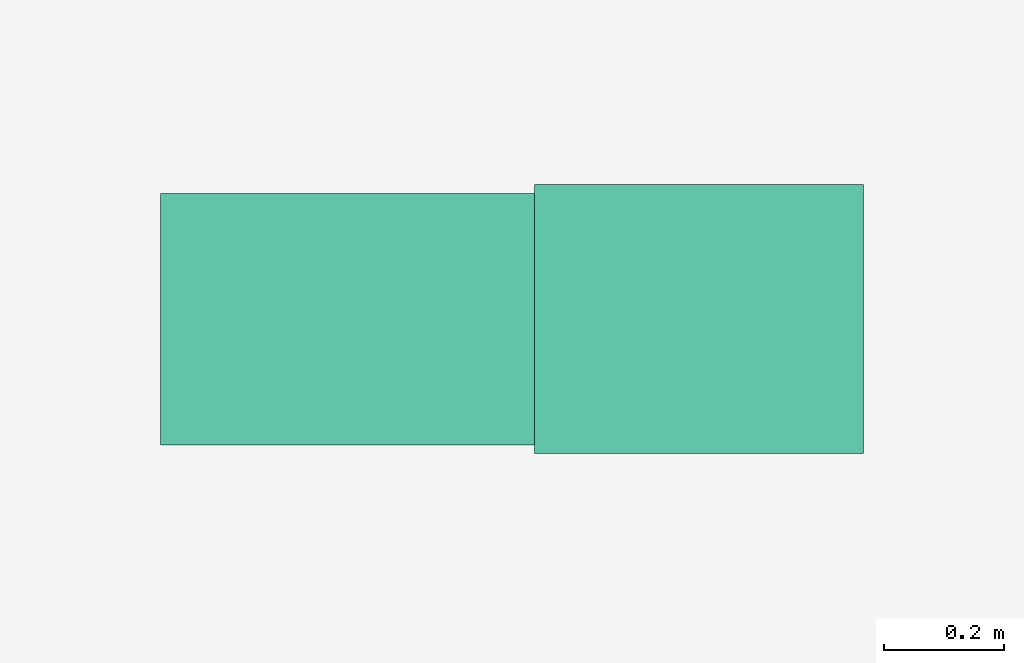
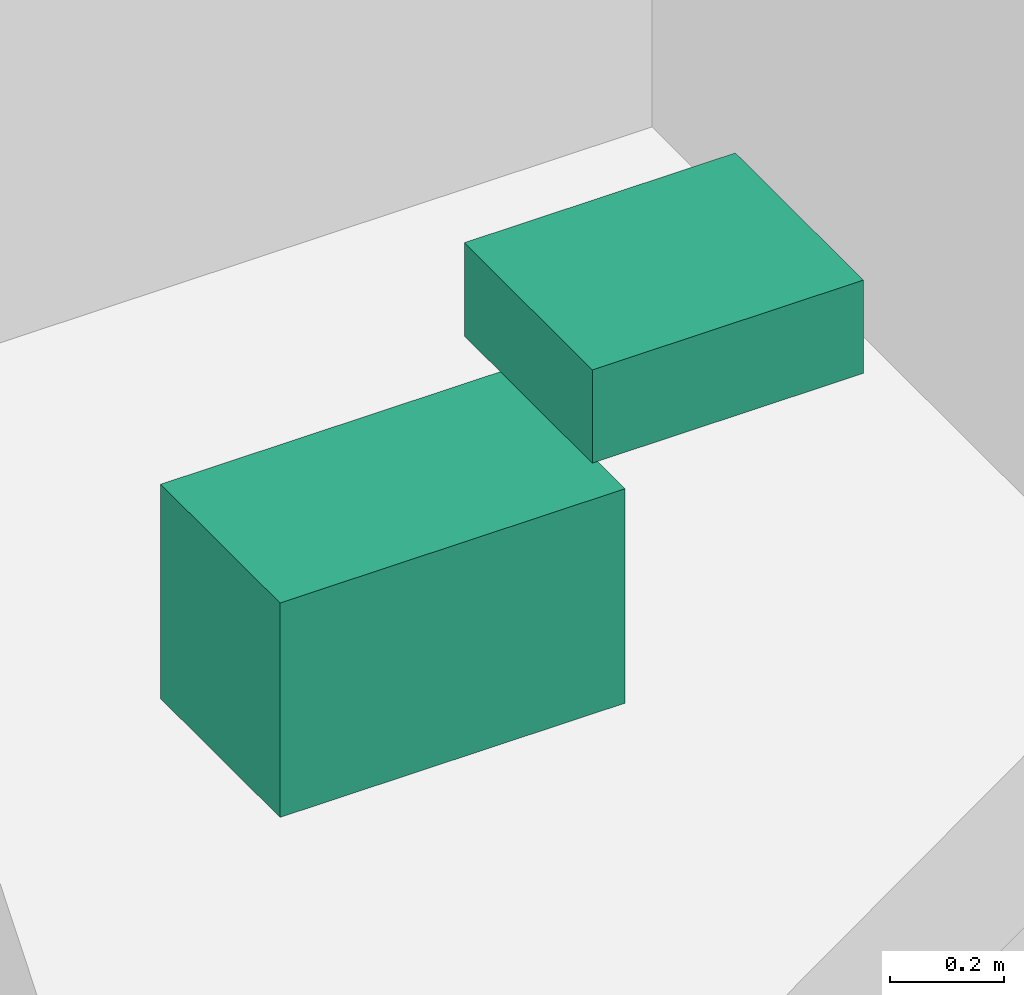
# One storey, part 18 of 18: 2 sanitary terminals.
"""IFC4 building model written with IfcOpenShell, lengths in metres."""

from ifc_helpers import new_model, si_unit, direction, frame, origin, origin_2d, place, context, subcontext, project, spatial, rectangle, extrude, material, type_object, element, save


model = new_model("IFC4")

# Units and contexts
model_context = context("Model", 3, precision=1e-05, world=origin(), true_north=direction((0.0, 1.0)))
body_context = subcontext(model_context, "Body", "Model", "MODEL_VIEW")
ifc_project = project(units=[si_unit("LENGTHUNIT", "METRE"), si_unit("AREAUNIT", "SQUARE_METRE"), si_unit("VOLUMEUNIT", "CUBIC_METRE"), si_unit("PLANEANGLEUNIT", "RADIAN"), si_unit("MASSUNIT", "GRAM", prefix="KILO")], contexts=[model_context])

# Site, building, storey
site_placement = place(None, origin())
site = spatial("IfcSite", under=ifc_project, at=site_placement, CompositionType="ELEMENT")
building_placement = place(site_placement, origin())
building = spatial("IfcBuilding", under=site, at=building_placement, Name="Surkhivell Harbour Commons", CompositionType="ELEMENT")
storey_placement = place(building_placement, frame((0.0, 0.0, 355.5)))
storey = spatial("IfcBuildingStorey", under=building, at=storey_placement, Name="L92", CompositionType="ELEMENT", Elevation=355.5)

# Sanitary terminals
ifc_material_1 = material(Name="Vitreous china washbasin", Category="other")
sanitary_terminal_type_1 = type_object("IfcSanitaryTerminalType", Name="SAN-BSN", PredefinedType="WASHHANDBASIN", material=ifc_material_1)
sanitary_terminal_1_placement = place(storey_placement, frame((1.89990234375, 2.89990234375, 0.72021484375), z_axis=(0.0, 0.0, 1.0), x_axis=(1.0, 0.0, 0.0)))
element("IfcSanitaryTerminal", 1, at=sanitary_terminal_1_placement, inside=storey, type_object=sanitary_terminal_type_1, Name="L92 Core Accessible WC Washbasin", PredefinedType="WASHHANDBASIN", context=body_context, shape_type="SweptSolid", body=[
    extrude(rectangle(XDim=0.550048828125, YDim=0.449951171875, at=origin_2d()), origin(), (0.0, 0.0, 1.0), 0.199951171875),
])
ifc_material_2 = material(Name="Vitreous china sanitaryware", Category="other")
sanitary_terminal_type_2 = type_object("IfcSanitaryTerminalType", Name="SAN-WC-ACC", PredefinedType="TOILETPAN", material=ifc_material_2)
sanitary_terminal_2_placement = place(storey_placement, frame((1.35009765625, 2.89990234375, 0.169921875), z_axis=(0.0, 0.0, 1.0), x_axis=(1.0, 0.0, 0.0)))
element("IfcSanitaryTerminal", 2, at=sanitary_terminal_2_placement, inside=storey, type_object=sanitary_terminal_type_2, Name="L92 Core Accessible WC", PredefinedType="TOILETPAN", context=body_context, shape_type="SweptSolid", body=[
    extrude(rectangle(XDim=0.699951171875, YDim=0.419921875, at=origin_2d()), origin(), (0.0, 0.0, 1.0), 0.4599609375),
])

save(model, "model.ifc")
